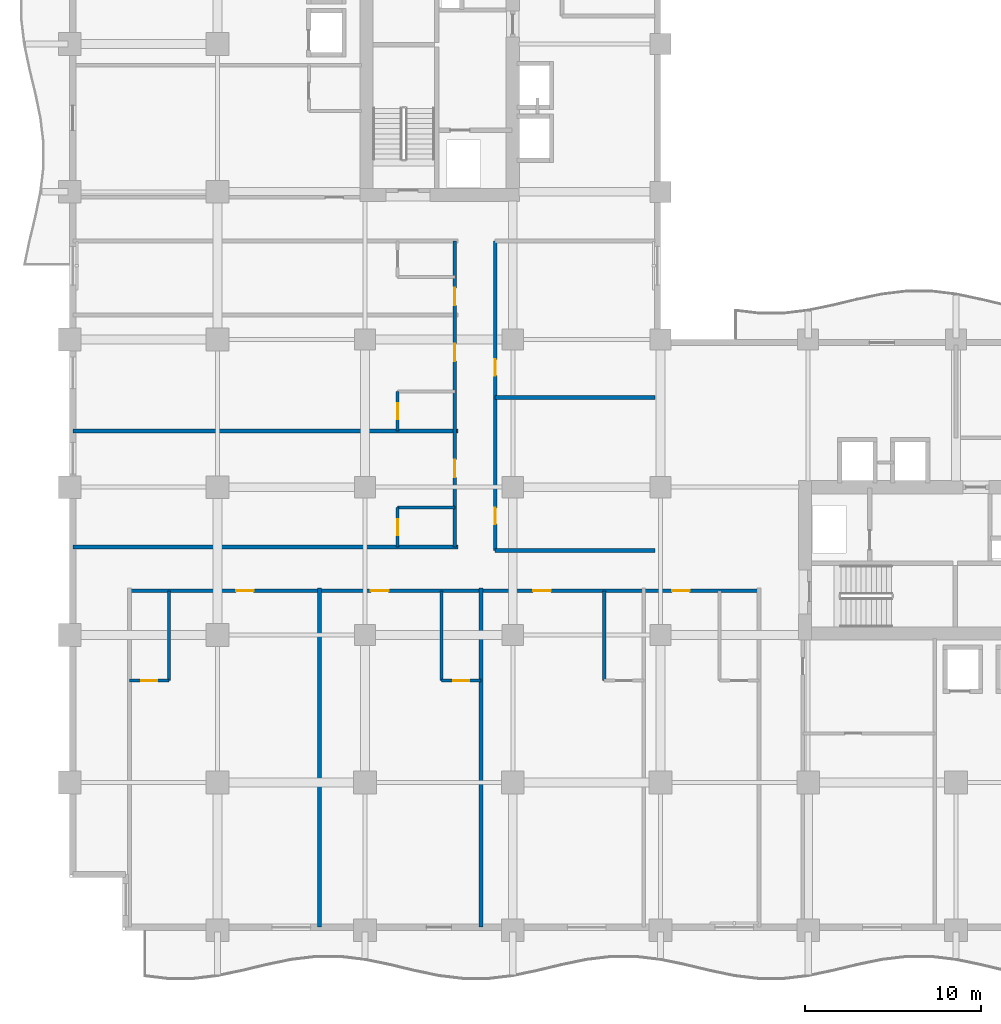
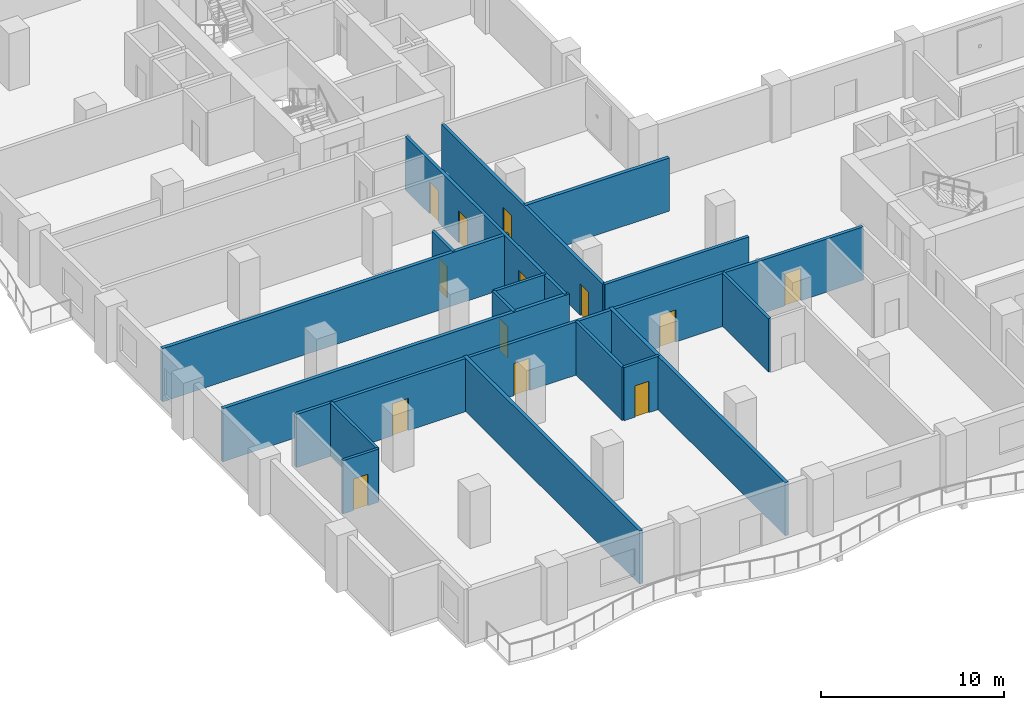
# One storey, part 4 of 18: 17 walls, 13 doors, 13 openings.
"""IFC4 building model written with IfcOpenShell, lengths in metres."""

from ifc_helpers import new_model, si_unit, direction, frame, frame_2d, origin, place, context, subcontext, project, spatial, rectangle, extrude, material, layer, layer_set, type_object, element, fill, save


model = new_model("IFC4")

# Units and contexts
model_context = context("Model", 3, precision=1e-05, world=origin(), true_north=direction((0.0, 1.0)))
body_context = subcontext(model_context, "Body", "Model", "MODEL_VIEW")
ifc_project = project(units=[si_unit("LENGTHUNIT", "METRE"), si_unit("AREAUNIT", "SQUARE_METRE"), si_unit("VOLUMEUNIT", "CUBIC_METRE"), si_unit("PLANEANGLEUNIT", "RADIAN"), si_unit("MASSUNIT", "GRAM", prefix="KILO")], contexts=[model_context])

# Site, building, storey
site_placement = place(None, origin())
site = spatial("IfcSite", under=ifc_project, at=site_placement, CompositionType="ELEMENT")
building_placement = place(site_placement, origin())
building = spatial("IfcBuilding", under=site, at=building_placement, Name="Koriwani Terraces Tower", CompositionType="ELEMENT")
storey_placement = place(building_placement, frame((0.0, 0.0, 115.199951171875)))
storey = spatial("IfcBuildingStorey", under=building, at=storey_placement, Name="L27", CompositionType="ELEMENT", Elevation=115.199951171875)

# Wall, openings, doors
ifc_material_1 = material(Name="Autoclaved Cellular Concrete Blockwork", Category="masonry")
ifc_layer_1 = layer(ifc_material_1, 0.199951171875, Name="Autoclaved Cellular Concrete Blockwork")
ifc_layer_set_1 = layer_set([ifc_layer_1], Name="Autoclaved Cellular Concrete Blockwork")
wall_type_1 = type_object("IfcWallType", Name="WALL_CORRIDOR_200", PredefinedType="PARTITIONING", material=ifc_layer_set_1)
wall_1_placement = place(storey_placement, frame((24.199951171875, 21.60009765625, 0.0), z_axis=(0.0, 0.0, 1.0), x_axis=(0.0, 1.0, 0.0)))
wall_1 = element("IfcWall", 1, at=wall_1_placement, inside=storey, type_object=wall_type_1, Name="L27 Interior Wall WIC2-W-L27", PredefinedType="PARTITIONING", context=body_context, shape_type="SweptSolid", body=[
    extrude(rectangle(XDim=17.599853515625, YDim=0.199951171875, at=frame_2d((8.7998046875, 0.0))), origin(), (0.0, 0.0, 1.0), 3.550048828125),
])
opening_1_placement = place(wall_1_placement, frame((1.5, 0.0, 0.0)))
opening_1 = element("IfcOpeningElement", 2, at=opening_1_placement, cuts=wall_1, Name="Opening D-06", PredefinedType="OPENING", context=body_context, shape_type="SweptSolid", body=[
    extrude(rectangle(XDim=0.919921875, YDim=2.10009765625, at=frame_2d((0.4599609375, 1.050048828125))), frame((0.0, 0.10986328125, 0.0), z_axis=(0.0, -1.0, 0.0), x_axis=(1.0, 0.0, 0.0)), (0.0, 0.0, 1.0), 0.219970703125),
])
opening_2_placement = place(wall_1_placement, frame((9.949951171875, 0.0, 0.0)))
opening_2 = element("IfcOpeningElement", 3, at=opening_2_placement, cuts=wall_1, Name="Opening D-06", PredefinedType="OPENING", context=body_context, shape_type="SweptSolid", body=[
    extrude(rectangle(XDim=0.919921875, YDim=2.10009765625, at=frame_2d((0.4599609375, 1.050048828125))), frame((0.0, 0.10986328125, 0.0), z_axis=(0.0, -1.0, 0.0), x_axis=(1.0, 0.0, 0.0)), (0.0, 0.0, 1.0), 0.219970703125),
])
ifc_material_2 = material(Name="Architectural Oak Fire Door", Category="wood")
door_type_1 = type_object("IfcDoorType", Name="DOOR_ROOM_INT_920X2100", OperationType="NOTDEFINED", PredefinedType="DOOR", material=ifc_material_2)
door_1_placement = place(opening_1_placement, origin())
door_1 = element("IfcDoor", 4, at=door_1_placement, inside=storey, type_object=door_type_1, Name="L27 Inner Court Salon Door", OperationType="SINGLE_SWING_LEFT", OverallHeight=2.10009765625, OverallWidth=0.919921875, PredefinedType="DOOR", context=body_context, shape_type="SweptSolid", body=[
    extrude(rectangle(XDim=0.919921875, YDim=2.10009765625, at=frame_2d((0.4599609375, 1.050048828125))), frame((0.0, 0.02490234375, 0.0), z_axis=(0.0, -1.0, 0.0), x_axis=(1.0, 0.0, 0.0)), (0.0, 0.0, 1.0), 0.050048828125),
])
fill(opening_1, door_1)
door_2_placement = place(opening_2_placement, origin())
door_2 = element("IfcDoor", 5, at=door_2_placement, inside=storey, type_object=door_type_1, Name="L27 Inner Court Media Room Door", OperationType="SINGLE_SWING_RIGHT", OverallHeight=2.10009765625, OverallWidth=0.919921875, PredefinedType="DOOR", context=body_context, shape_type="SweptSolid", body=[
    extrude(rectangle(XDim=0.919921875, YDim=2.10009765625, at=frame_2d((0.4599609375, 1.050048828125))), frame((0.0, 0.02490234375, 0.0), z_axis=(0.0, -1.0, 0.0), x_axis=(1.0, 0.0, 0.0)), (0.0, 0.0, 1.0), 0.050048828125),
])
fill(opening_2, door_2)

# Wall
wall_2_placement = place(storey_placement, frame((24.199951171875, 21.60009765625, 0.0), z_axis=(0.0, 0.0, 1.0), x_axis=(1.0, 0.0, 0.0)))
element("IfcWall", 6, at=wall_2_placement, inside=storey, type_object=wall_type_1, Name="L27 Interior Wall WIC2-S-L27", PredefinedType="PARTITIONING", context=body_context, shape_type="SweptSolid", body=[
    extrude(rectangle(XDim=9.10009765625, YDim=0.199951171875, at=frame_2d((4.550048828125, 0.0))), origin(), (0.0, 0.0, 1.0), 3.550048828125),
])

# Wall, openings, doors
wall_3_placement = place(storey_placement, frame((3.39990234375, 19.300048828125, 0.0), z_axis=(0.0, 0.0, 1.0), x_axis=(1.0, 0.0, 0.0)))
wall_3 = element("IfcWall", 7, at=wall_3_placement, inside=storey, type_object=wall_type_1, Name="L27 Interior Wall WCOR-L27-SW-0", PredefinedType="PARTITIONING", context=body_context, shape_type="SweptSolid", body=[
    extrude(rectangle(XDim=35.800048828125, YDim=0.199951171875, at=frame_2d((17.89990234375, 0.0))), origin(), (0.0, 0.0, 1.0), 3.550048828125),
])
opening_3_placement = place(wall_3_placement, frame((6.06494140625, 0.0, 0.0)))
opening_3 = element("IfcOpeningElement", 8, at=opening_3_placement, cuts=wall_3, Name="Opening D-05", PredefinedType="OPENING", context=body_context, shape_type="SweptSolid", body=[
    extrude(rectangle(XDim=1.0, YDim=2.14990234375, at=frame_2d((0.5, 1.074951171875))), frame((0.0, 0.10986328125, 0.0), z_axis=(0.0, -1.0, 0.0), x_axis=(1.0, 0.0, 0.0)), (0.0, 0.0, 1.0), 0.219970703125),
])
opening_4_placement = place(wall_3_placement, frame((13.735107421875, 0.0, 0.0)))
opening_4 = element("IfcOpeningElement", 9, at=opening_4_placement, cuts=wall_3, Name="Opening D-05", PredefinedType="OPENING", context=body_context, shape_type="SweptSolid", body=[
    extrude(rectangle(XDim=1.0, YDim=2.14990234375, at=frame_2d((0.5, 1.074951171875))), frame((0.0, 0.10986328125, 0.0), z_axis=(0.0, -1.0, 0.0), x_axis=(1.0, 0.0, 0.0)), (0.0, 0.0, 1.0), 0.219970703125),
])
opening_5_placement = place(wall_3_placement, frame((22.9599609375, 0.0, 0.0)))
opening_5 = element("IfcOpeningElement", 10, at=opening_5_placement, cuts=wall_3, Name="Opening D-05", PredefinedType="OPENING", context=body_context, shape_type="SweptSolid", body=[
    extrude(rectangle(XDim=1.0, YDim=2.14990234375, at=frame_2d((0.5, 1.074951171875))), frame((0.0, 0.10986328125, 0.0), z_axis=(0.0, -1.0, 0.0), x_axis=(1.0, 0.0, 0.0)), (0.0, 0.0, 1.0), 0.219970703125),
])
opening_6_placement = place(wall_3_placement, frame((30.860107421875, 0.0, 0.0)))
opening_6 = element("IfcOpeningElement", 11, at=opening_6_placement, cuts=wall_3, Name="Opening D-05", PredefinedType="OPENING", context=body_context, shape_type="SweptSolid", body=[
    extrude(rectangle(XDim=1.0, YDim=2.14990234375, at=frame_2d((0.5, 1.074951171875))), frame((0.0, 0.10986328125, 0.0), z_axis=(0.0, -1.0, 0.0), x_axis=(1.0, 0.0, 0.0)), (0.0, 0.0, 1.0), 0.219970703125),
])
door_type_2 = type_object("IfcDoorType", Name="DOOR_SUITE_ENTRY_1000X2150", OperationType="NOTDEFINED", PredefinedType="DOOR", material=ifc_material_2)
door_3_placement = place(opening_3_placement, origin())
door_3 = element("IfcDoor", 12, at=door_3_placement, inside=storey, type_object=door_type_2, Name="Luxury Hotel Suite 27SW1 Entrance Door", OperationType="SINGLE_SWING_LEFT", OverallHeight=2.14990234375, OverallWidth=1.0, PredefinedType="DOOR", context=body_context, shape_type="SweptSolid", body=[
    extrude(rectangle(XDim=1.0, YDim=2.14990234375, at=frame_2d((0.5, 1.074951171875))), frame((0.0, 0.02490234375, 0.0), z_axis=(0.0, -1.0, 0.0), x_axis=(1.0, 0.0, 0.0)), (0.0, 0.0, 1.0), 0.050048828125),
])
fill(opening_3, door_3)
door_4_placement = place(opening_4_placement, origin())
door_4 = element("IfcDoor", 13, at=door_4_placement, inside=storey, type_object=door_type_2, Name="Luxury Hotel Suite 27SW2 Entrance Door", OperationType="SINGLE_SWING_LEFT", OverallHeight=2.14990234375, OverallWidth=1.0, PredefinedType="DOOR", context=body_context, shape_type="SweptSolid", body=[
    extrude(rectangle(XDim=1.0, YDim=2.14990234375, at=frame_2d((0.5, 1.074951171875))), frame((0.0, 0.02490234375, 0.0), z_axis=(0.0, -1.0, 0.0), x_axis=(1.0, 0.0, 0.0)), (0.0, 0.0, 1.0), 0.050048828125),
])
fill(opening_4, door_4)
door_5_placement = place(opening_5_placement, origin())
door_5 = element("IfcDoor", 14, at=door_5_placement, inside=storey, type_object=door_type_2, Name="Luxury Hotel Suite 27SW3 Entrance Door", OperationType="SINGLE_SWING_LEFT", OverallHeight=2.14990234375, OverallWidth=1.0, PredefinedType="DOOR", context=body_context, shape_type="SweptSolid", body=[
    extrude(rectangle(XDim=1.0, YDim=2.14990234375, at=frame_2d((0.5, 1.074951171875))), frame((0.0, 0.02490234375, 0.0), z_axis=(0.0, -1.0, 0.0), x_axis=(1.0, 0.0, 0.0)), (0.0, 0.0, 1.0), 0.050048828125),
])
fill(opening_5, door_5)
door_6_placement = place(opening_6_placement, origin())
door_6 = element("IfcDoor", 15, at=door_6_placement, inside=storey, type_object=door_type_2, Name="Luxury Hotel Suite 27SW4 Entrance Door", OperationType="SINGLE_SWING_LEFT", OverallHeight=2.14990234375, OverallWidth=1.0, PredefinedType="DOOR", context=body_context, shape_type="SweptSolid", body=[
    extrude(rectangle(XDim=1.0, YDim=2.14990234375, at=frame_2d((0.5, 1.074951171875))), frame((0.0, 0.02490234375, 0.0), z_axis=(0.0, -1.0, 0.0), x_axis=(1.0, 0.0, 0.0)), (0.0, 0.0, 1.0), 0.050048828125),
])
fill(opening_6, door_6)

wall_4_placement = place(storey_placement, frame((21.89990234375, 21.800048828125, 0.0), z_axis=(0.0, 0.0, 1.0), x_axis=(0.0, 1.0, 0.0)))
wall_4 = element("IfcWall", 16, at=wall_4_placement, inside=storey, type_object=wall_type_1, Name="L27 Interior Wall WCOR-L27-NW-0", PredefinedType="PARTITIONING", context=body_context, shape_type="SweptSolid", body=[
    extrude(rectangle(XDim=17.39990234375, YDim=0.199951171875, at=frame_2d((8.699951171875, 0.0))), origin(), (0.0, 0.0, 1.0), 3.550048828125),
])
opening_7_placement = place(wall_4_placement, frame((3.965087890625, 0.0, 0.0)))
opening_7 = element("IfcOpeningElement", 17, at=opening_7_placement, cuts=wall_4, Name="Opening D-05", PredefinedType="OPENING", context=body_context, shape_type="SweptSolid", body=[
    extrude(rectangle(XDim=1.0, YDim=2.14990234375, at=frame_2d((0.5, 1.074951171875))), frame((0.0, 0.10986328125, 0.0), z_axis=(0.0, -1.0, 0.0), x_axis=(1.0, 0.0, 0.0)), (0.0, 0.0, 1.0), 0.219970703125),
])
opening_8_placement = place(wall_4_placement, frame((10.56494140625, 0.0, 0.0)))
opening_8 = element("IfcOpeningElement", 18, at=opening_8_placement, cuts=wall_4, Name="Opening D-05", PredefinedType="OPENING", context=body_context, shape_type="SweptSolid", body=[
    extrude(rectangle(XDim=1.0, YDim=2.14990234375, at=frame_2d((0.5, 1.074951171875))), frame((0.0, 0.10986328125, 0.0), z_axis=(0.0, -1.0, 0.0), x_axis=(1.0, 0.0, 0.0)), (0.0, 0.0, 1.0), 0.219970703125),
])
opening_9_placement = place(wall_4_placement, frame((13.735107421875, 0.0, 0.0)))
opening_9 = element("IfcOpeningElement", 19, at=opening_9_placement, cuts=wall_4, Name="Opening D-05", PredefinedType="OPENING", context=body_context, shape_type="SweptSolid", body=[
    extrude(rectangle(XDim=1.0, YDim=2.14990234375, at=frame_2d((0.5, 1.074951171875))), frame((0.0, 0.10986328125, 0.0), z_axis=(0.0, -1.0, 0.0), x_axis=(1.0, 0.0, 0.0)), (0.0, 0.0, 1.0), 0.219970703125),
])
door_7_placement = place(opening_7_placement, origin())
door_7 = element("IfcDoor", 20, at=door_7_placement, inside=storey, type_object=door_type_2, Name="Luxury Hotel Suite 27NW1 Entrance Door", OperationType="SINGLE_SWING_LEFT", OverallHeight=2.14990234375, OverallWidth=1.0, PredefinedType="DOOR", context=body_context, shape_type="SweptSolid", body=[
    extrude(rectangle(XDim=1.0, YDim=2.14990234375, at=frame_2d((0.5, 1.074951171875))), frame((0.0, 0.02490234375, 0.0), z_axis=(0.0, -1.0, 0.0), x_axis=(1.0, 0.0, 0.0)), (0.0, 0.0, 1.0), 0.050048828125),
])
fill(opening_7, door_7)
door_8_placement = place(opening_8_placement, origin())
door_8 = element("IfcDoor", 21, at=door_8_placement, inside=storey, type_object=door_type_2, Name="Luxury Hotel Suite 27NW2 Entrance Door", OperationType="SINGLE_SWING_LEFT", OverallHeight=2.14990234375, OverallWidth=1.0, PredefinedType="DOOR", context=body_context, shape_type="SweptSolid", body=[
    extrude(rectangle(XDim=1.0, YDim=2.14990234375, at=frame_2d((0.5, 1.074951171875))), frame((0.0, 0.02490234375, 0.0), z_axis=(0.0, -1.0, 0.0), x_axis=(1.0, 0.0, 0.0)), (0.0, 0.0, 1.0), 0.050048828125),
])
fill(opening_8, door_8)
door_9_placement = place(opening_9_placement, origin())
door_9 = element("IfcDoor", 22, at=door_9_placement, inside=storey, type_object=door_type_2, Name="Luxury Hotel Suite 27NW3 Entrance Door", OperationType="SINGLE_SWING_LEFT", OverallHeight=2.14990234375, OverallWidth=1.0, PredefinedType="DOOR", context=body_context, shape_type="SweptSolid", body=[
    extrude(rectangle(XDim=1.0, YDim=2.14990234375, at=frame_2d((0.5, 1.074951171875))), frame((0.0, 0.02490234375, 0.0), z_axis=(0.0, -1.0, 0.0), x_axis=(1.0, 0.0, 0.0)), (0.0, 0.0, 1.0), 0.050048828125),
])
fill(opening_9, door_9)

# Walls
ifc_layer_2 = layer(ifc_material_1, 0.219970703125, Name="Autoclaved Cellular Concrete Blockwork")
ifc_layer_set_2 = layer_set([ifc_layer_2], Name="Autoclaved Cellular Concrete Blockwork")
wall_type_2 = type_object("IfcWallType", Name="WALL_DEMISING_220", PredefinedType="PARTITIONING", material=ifc_layer_set_2)
wall_5_placement = place(storey_placement, frame((24.199951171875, 30.300048828125, 0.0), z_axis=(0.0, 0.0, 1.0), x_axis=(1.0, 0.0, 0.0)))
element("IfcWall", 23, at=wall_5_placement, inside=storey, type_object=wall_type_2, Name="L27 Interior Wall WIC2-M-L27", PredefinedType="PARTITIONING", context=body_context, shape_type="SweptSolid", body=[
    extrude(rectangle(XDim=9.10009765625, YDim=0.219970703125, at=frame_2d((4.550048828125, 0.0))), origin(), (0.0, 0.0, 1.0), 3.550048828125),
])
for number, where, z_axis, x_axis, name in (
    (24, (14.199951171875, 0.199951171875, 0.0), (0.0, 0.0, 1.0), (0.0, 1.0, 0.0), "L27 Interior Wall WDEM-L27-SW-1"),
    (25, (23.39990234375, 0.199951171875, 0.0), (0.0, 0.0, 1.0), (0.0, 1.0, 0.0), "L27 Interior Wall WDEM-L27-SW-2"),
):
    element("IfcWall", number, at=place(storey_placement, frame(where, z_axis=z_axis, x_axis=x_axis)), inside=storey, type_object=wall_type_2, Name=name, PredefinedType="PARTITIONING", context=body_context, shape_type="SweptSolid", body=[
        extrude(rectangle(XDim=19.280029296875, YDim=0.219970703125, at=frame_2d((9.64013671875, 0.0))), origin(), (0.0, 0.0, 1.0), 3.550048828125),
    ])
for number, where, z_axis, x_axis, name in (
    (26, (0.199951171875, 21.800048828125, 0.0), (0.0, 0.0, 1.0), (1.0, 0.0, 0.0), "L27 Interior Wall WDEM-L27-NW-0"),
    (27, (0.199951171875, 28.39990234375, 0.0), (0.0, 0.0, 1.0), (1.0, 0.0, 0.0), "L27 Interior Wall WDEM-L27-NW-1"),
):
    element("IfcWall", number, at=place(storey_placement, frame(where, z_axis=z_axis, x_axis=x_axis)), inside=storey, type_object=wall_type_2, Name=name, PredefinedType="PARTITIONING", context=body_context, shape_type="SweptSolid", body=[
        extrude(rectangle(XDim=21.880126953125, YDim=0.219970703125, at=frame_2d((10.93994140625, 0.0))), origin(), (0.0, 0.0, 1.0), 3.550048828125),
    ])

# Wall, opening, door
ifc_material_3 = material(Name="Fire-Rated Acoustic Gypsum Partition", Category="masonry")
ifc_layer_3 = layer(ifc_material_3, 0.179931640625, Name="Fire-Rated Acoustic Gypsum Partition")
ifc_layer_set_3 = layer_set([ifc_layer_3], Name="Fire-Rated Acoustic Gypsum Partition")
wall_type_3 = type_object("IfcWallType", Name="WALL_PLUMBING_180", PredefinedType="PLUMBINGWALL", material=ifc_layer_set_3)
wall_6_placement = place(storey_placement, frame((3.39990234375, 14.199951171875, 0.0), z_axis=(0.0, 0.0, 1.0), x_axis=(1.0, 0.0, 0.0)))
wall_6 = element("IfcWall", 28, at=wall_6_placement, inside=storey, type_object=wall_type_3, Name="L27 Interior Wall WBTH1-L27-SW-0", PredefinedType="PLUMBINGWALL", context=body_context, shape_type="SweptSolid", body=[
    extrude(rectangle(XDim=2.25, YDim=0.179931640625, at=frame_2d((1.125, 0.0))), origin(), (0.0, 0.0, 1.0), 3.550048828125),
])
opening_10_placement = place(wall_6_placement, frame((0.675048828125, 0.0, 0.0)))
opening_10 = element("IfcOpeningElement", 29, at=opening_10_placement, cuts=wall_6, Name="Opening D-07", PredefinedType="OPENING", context=body_context, shape_type="SweptSolid", body=[
    extrude(rectangle(XDim=0.89990234375, YDim=2.10009765625, at=frame_2d((0.449951171875, 1.050048828125))), frame((0.0, 0.10009765625, 0.0), z_axis=(0.0, -1.0, 0.0), x_axis=(1.0, 0.0, 0.0)), (0.0, 0.0, 1.0), 0.199951171875),
])
door_type_3 = type_object("IfcDoorType", Name="DOOR_BATH_INT_900X2100", OperationType="NOTDEFINED", PredefinedType="DOOR", material=ifc_material_2)
door_10_placement = place(opening_10_placement, origin())
door_10 = element("IfcDoor", 30, at=door_10_placement, inside=storey, type_object=door_type_3, Name="En-Suite Bathroom 27SW1 Door", OperationType="SINGLE_SWING_RIGHT", OverallHeight=2.10009765625, OverallWidth=0.89990234375, PredefinedType="DOOR", context=body_context, shape_type="SweptSolid", body=[
    extrude(rectangle(XDim=0.89990234375, YDim=2.10009765625, at=frame_2d((0.449951171875, 1.050048828125))), frame((0.0, 0.02490234375, 0.0), z_axis=(0.0, -1.0, 0.0), x_axis=(1.0, 0.0, 0.0)), (0.0, 0.0, 1.0), 0.050048828125),
])
fill(opening_10, door_10)

# Wall
wall_7_placement = place(storey_placement, frame((5.64990234375, 14.199951171875, 0.0), z_axis=(0.0, 0.0, 1.0), x_axis=(0.0, 1.0, 0.0)))
element("IfcWall", 31, at=wall_7_placement, inside=storey, type_object=wall_type_3, Name="L27 Interior Wall WBTH2-L27-SW-0", PredefinedType="PLUMBINGWALL", context=body_context, shape_type="SweptSolid", body=[
    extrude(rectangle(XDim=5.10009765625, YDim=0.179931640625, at=frame_2d((2.550048828125, 0.0))), origin(), (0.0, 0.0, 1.0), 3.550048828125),
])

# Wall, opening, door
wall_8_placement = place(storey_placement, frame((21.14990234375, 14.199951171875, 0.0), z_axis=(0.0, 0.0, 1.0), x_axis=(1.0, 0.0, 0.0)))
wall_8 = element("IfcWall", 32, at=wall_8_placement, inside=storey, type_object=wall_type_3, Name="L27 Interior Wall WBTH1-L27-SW-1", PredefinedType="PLUMBINGWALL", context=body_context, shape_type="SweptSolid", body=[
    extrude(rectangle(XDim=2.25, YDim=0.179931640625, at=frame_2d((1.125, 0.0))), origin(), (0.0, 0.0, 1.0), 3.550048828125),
])
opening_11_placement = place(wall_8_placement, frame((0.675048828125, 0.0, 0.0)))
opening_11 = element("IfcOpeningElement", 33, at=opening_11_placement, cuts=wall_8, Name="Opening D-07", PredefinedType="OPENING", context=body_context, shape_type="SweptSolid", body=[
    extrude(rectangle(XDim=0.89990234375, YDim=2.10009765625, at=frame_2d((0.449951171875, 1.050048828125))), frame((0.0, 0.10009765625, 0.0), z_axis=(0.0, -1.0, 0.0), x_axis=(1.0, 0.0, 0.0)), (0.0, 0.0, 1.0), 0.199951171875),
])
door_11_placement = place(opening_11_placement, origin())
door_11 = element("IfcDoor", 34, at=door_11_placement, inside=storey, type_object=door_type_3, Name="En-Suite Bathroom 27SW2 Door", OperationType="SINGLE_SWING_RIGHT", OverallHeight=2.10009765625, OverallWidth=0.89990234375, PredefinedType="DOOR", context=body_context, shape_type="SweptSolid", body=[
    extrude(rectangle(XDim=0.89990234375, YDim=2.10009765625, at=frame_2d((0.449951171875, 1.050048828125))), frame((0.0, 0.02490234375, 0.0), z_axis=(0.0, -1.0, 0.0), x_axis=(1.0, 0.0, 0.0)), (0.0, 0.0, 1.0), 0.050048828125),
])
fill(opening_11, door_11)

# Walls
for number, where, z_axis, x_axis, name in (
    (35, (21.14990234375, 14.199951171875, 0.0), (0.0, 0.0, 1.0), (0.0, 1.0, 0.0), "L27 Interior Wall WBTH2-L27-SW-1"),
    (36, (30.39990234375, 14.199951171875, 0.0), (0.0, 0.0, 1.0), (0.0, 1.0, 0.0), "L27 Interior Wall WBTH2-L27-SW-2"),
):
    element("IfcWall", number, at=place(storey_placement, frame(where, z_axis=z_axis, x_axis=x_axis)), inside=storey, type_object=wall_type_3, Name=name, PredefinedType="PLUMBINGWALL", context=body_context, shape_type="SweptSolid", body=[
        extrude(rectangle(XDim=5.10009765625, YDim=0.179931640625, at=frame_2d((2.550048828125, 0.0))), origin(), (0.0, 0.0, 1.0), 3.550048828125),
    ])

# Wall, opening, door
wall_9_placement = place(storey_placement, frame((18.64990234375, 21.800048828125, 0.0), z_axis=(0.0, 0.0, 1.0), x_axis=(0.0, 1.0, 0.0)))
wall_9 = element("IfcWall", 37, at=wall_9_placement, inside=storey, type_object=wall_type_3, Name="L27 Interior Wall WBTH1-L27-NW-0", PredefinedType="PLUMBINGWALL", context=body_context, shape_type="SweptSolid", body=[
    extrude(rectangle(XDim=2.25, YDim=0.179931640625, at=frame_2d((1.125, 0.0))), origin(), (0.0, 0.0, 1.0), 3.550048828125),
])
opening_12_placement = place(wall_9_placement, frame((0.675048828125, 0.0, 0.0)))
opening_12 = element("IfcOpeningElement", 38, at=opening_12_placement, cuts=wall_9, Name="Opening D-07", PredefinedType="OPENING", context=body_context, shape_type="SweptSolid", body=[
    extrude(rectangle(XDim=0.89990234375, YDim=2.10009765625, at=frame_2d((0.449951171875, 1.050048828125))), frame((0.0, 0.10009765625, 0.0), z_axis=(0.0, -1.0, 0.0), x_axis=(1.0, 0.0, 0.0)), (0.0, 0.0, 1.0), 0.199951171875),
])
door_12_placement = place(opening_12_placement, origin())
door_12 = element("IfcDoor", 39, at=door_12_placement, inside=storey, type_object=door_type_3, Name="En-Suite Bathroom 27NW1 Door", OperationType="SINGLE_SWING_RIGHT", OverallHeight=2.10009765625, OverallWidth=0.89990234375, PredefinedType="DOOR", context=body_context, shape_type="SweptSolid", body=[
    extrude(rectangle(XDim=0.89990234375, YDim=2.10009765625, at=frame_2d((0.449951171875, 1.050048828125))), frame((0.0, 0.02490234375, 0.0), z_axis=(0.0, -1.0, 0.0), x_axis=(1.0, 0.0, 0.0)), (0.0, 0.0, 1.0), 0.050048828125),
])
fill(opening_12, door_12)

# Wall
wall_10_placement = place(storey_placement, frame((18.64990234375, 24.050048828125, 0.0), z_axis=(0.0, 0.0, 1.0), x_axis=(1.0, 0.0, 0.0)))
element("IfcWall", 40, at=wall_10_placement, inside=storey, type_object=wall_type_3, Name="L27 Interior Wall WBTH2-L27-NW-0", PredefinedType="PLUMBINGWALL", context=body_context, shape_type="SweptSolid", body=[
    extrude(rectangle(XDim=3.25, YDim=0.179931640625, at=frame_2d((1.625, 0.0))), origin(), (0.0, 0.0, 1.0), 3.550048828125),
])

# Wall, opening, door
wall_11_placement = place(storey_placement, frame((18.64990234375, 28.39990234375, 0.0), z_axis=(0.0, 0.0, 1.0), x_axis=(0.0, 1.0, 0.0)))
wall_11 = element("IfcWall", 41, at=wall_11_placement, inside=storey, type_object=wall_type_3, Name="L27 Interior Wall WBTH1-L27-NW-1", PredefinedType="PLUMBINGWALL", context=body_context, shape_type="SweptSolid", body=[
    extrude(rectangle(XDim=2.25, YDim=0.179931640625, at=frame_2d((1.125, 0.0))), origin(), (0.0, 0.0, 1.0), 3.550048828125),
])
opening_13_placement = place(wall_11_placement, frame((0.675048828125, 0.0, 0.0)))
opening_13 = element("IfcOpeningElement", 42, at=opening_13_placement, cuts=wall_11, Name="Opening D-07", PredefinedType="OPENING", context=body_context, shape_type="SweptSolid", body=[
    extrude(rectangle(XDim=0.89990234375, YDim=2.10009765625, at=frame_2d((0.449951171875, 1.050048828125))), frame((0.0, 0.10009765625, 0.0), z_axis=(0.0, -1.0, 0.0), x_axis=(1.0, 0.0, 0.0)), (0.0, 0.0, 1.0), 0.199951171875),
])
door_13_placement = place(opening_13_placement, origin())
door_13 = element("IfcDoor", 43, at=door_13_placement, inside=storey, type_object=door_type_3, Name="En-Suite Bathroom 27NW2 Door", OperationType="SINGLE_SWING_RIGHT", OverallHeight=2.10009765625, OverallWidth=0.89990234375, PredefinedType="DOOR", context=body_context, shape_type="SweptSolid", body=[
    extrude(rectangle(XDim=0.89990234375, YDim=2.10009765625, at=frame_2d((0.449951171875, 1.050048828125))), frame((0.0, 0.02490234375, 0.0), z_axis=(0.0, -1.0, 0.0), x_axis=(1.0, 0.0, 0.0)), (0.0, 0.0, 1.0), 0.050048828125),
])
fill(opening_13, door_13)

save(model, "model.ifc")
